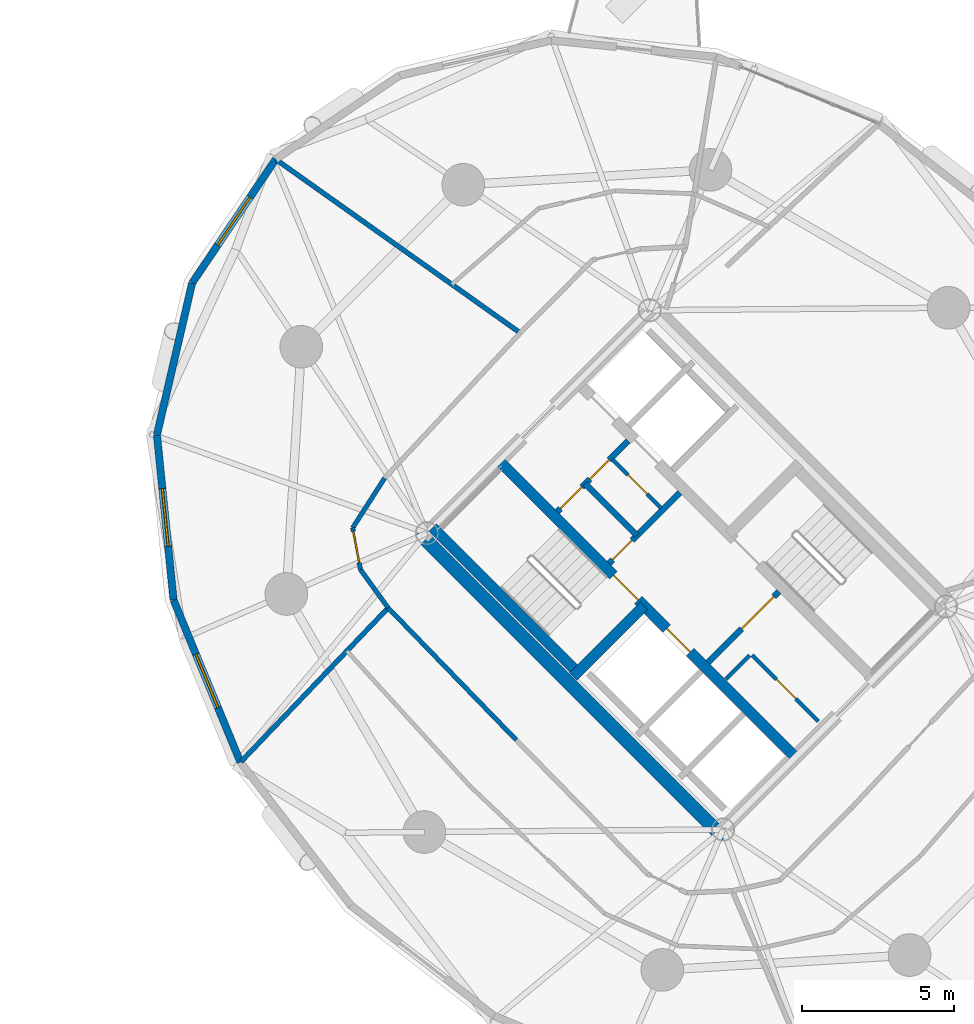
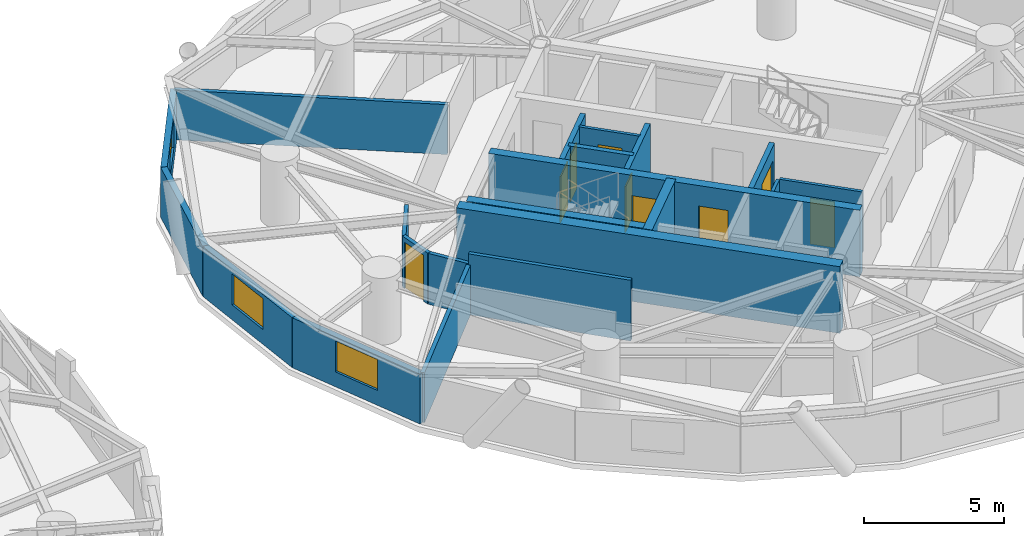
# One storey, part 12 of 18: 21 walls, 9 doors, 3 windows, 12 openings.
"""IFC4 building model written with IfcOpenShell, lengths in metres."""

from ifc_helpers import new_model, si_unit, direction, frame, frame_2d, origin, place, context, subcontext, project, spatial, rectangle, extrude, source, transform, mapped, material, layer, layer_set, type_object, element, fill, save


model = new_model("IFC4")

# Units and contexts
model_context = context("Model", 3, precision=1e-05, world=origin(), true_north=direction((0.0, 1.0)))
body_context = subcontext(model_context, "Body", "Model", "MODEL_VIEW")
ifc_project = project(units=[si_unit("LENGTHUNIT", "METRE"), si_unit("AREAUNIT", "SQUARE_METRE"), si_unit("VOLUMEUNIT", "CUBIC_METRE"), si_unit("PLANEANGLEUNIT", "RADIAN"), si_unit("MASSUNIT", "GRAM", prefix="KILO")], contexts=[model_context])

# Site, building, storey
site_placement = place(None, origin())
site = spatial("IfcSite", under=ifc_project, at=site_placement, CompositionType="ELEMENT")
building_placement = place(site_placement, origin())
building = spatial("IfcBuilding", under=site, at=building_placement, Name="Cununo Teusaquillo Station Towers", CompositionType="ELEMENT")
storey_placement = place(building_placement, frame((0.0, 0.0, 105.070068359375)))
storey = spatial("IfcBuildingStorey", under=building, at=storey_placement, Name="L33", CompositionType="ELEMENT", Elevation=105.070068359375)

# Wall, openings, doors
ifc_material_1 = material(Name="Concrete C50/60", Category="concrete")
ifc_layer_1 = layer(ifc_material_1, 0.35009765625)
ifc_layer_set_1 = layer_set([ifc_layer_1], Name="Concrete C50/60")
wall_type_1 = type_object("IfcWallType", Name="WL-CORE-350", PredefinedType="SHEAR", material=ifc_layer_set_1)
wall_1_placement = place(storey_placement, frame((61.077880859375, 18.355224609375, 0.0), z_axis=(0.0, 0.0, 1.0), x_axis=(-0.707106781187, 0.707106781187, 0.0)))
wall_1 = element("IfcWall", 1, at=wall_1_placement, inside=storey, type_object=wall_type_1, Name="L33 Tower B Core Shear Wall IW", PredefinedType="SHEAR", context=body_context, shape_type="SweptSolid", body=[
    extrude(rectangle(XDim=13.75, YDim=0.35009765625, at=frame_2d((6.875, 0.0))), origin(), (0.0, 0.0, 1.0), 2.909912109375),
])
shared_shape_1 = source(origin(), body_context, "Body", "SweptSolid", [
    extrude(rectangle(XDim=1.10009765625, YDim=2.014892578125, at=frame_2d((0.550048828125, 1.00732421875))), frame((0.0, 0.18505859375, 0.0), z_axis=(0.0, -1.0, 0.0), x_axis=(1.0, 0.0, 0.0)), (0.0, 0.0, 1.0), 0.3701171875),
])
opening_1_placement = place(wall_1_placement, frame((4.875, 0.0, 0.0)))
opening_1 = element("IfcOpeningElement", 2, at=opening_1_placement, cuts=wall_1, Name="Opening LD-01", PredefinedType="OPENING", context=body_context, shape_type="MappedRepresentation", body=[
    mapped(shared_shape_1, transform((0.0, 0.0, 0.0), x_axis=(1.0, 0.0, 0.0), y_axis=(0.0, 1.0, 0.0), z_axis=(0.0, 0.0, 1.0), scale=1.0)),
])
shared_shape_2 = source(origin(), body_context, "Body", "SweptSolid", [
    extrude(rectangle(XDim=1.14990234375, YDim=2.02001953125, at=frame_2d((0.574951171875, 1.010009765625))), frame((0.0, 0.18505859375, 0.0), z_axis=(0.0, -1.0, 0.0), x_axis=(1.0, 0.0, 0.0)), (0.0, 0.0, 1.0), 0.3701171875),
])
opening_2_placement = place(wall_1_placement, frame((7.294921875, 0.0, 0.0)))
opening_2 = element("IfcOpeningElement", 3, at=opening_2_placement, cuts=wall_1, Name="Opening D-ST1", PredefinedType="OPENING", context=body_context, shape_type="MappedRepresentation", body=[
    mapped(shared_shape_2, transform((0.0, 0.0, 0.0), x_axis=(1.0, 0.0, 0.0), y_axis=(0.0, 1.0, 0.0), z_axis=(0.0, 0.0, 1.0), scale=1.0)),
])
ifc_material_2 = material(Name="Galvanised fire-rated hollow steel door assembly", Category="steel")
door_type_1 = type_object("IfcDoorType", Name="DR-LIFT-1100", OperationType="SLIDING_TO_LEFT", PredefinedType="DOOR", material=ifc_material_2)
shared_shape_3 = source(origin(), body_context, "Body", "SweptSolid", [
    extrude(rectangle(XDim=1.10009765625, YDim=2.014892578125, at=frame_2d((0.550048828125, 1.00732421875))), frame((0.0, 0.02490234375, 0.0), z_axis=(0.0, -1.0, 0.0), x_axis=(1.0, 0.0, 0.0)), (0.0, 0.0, 1.0), 0.050048828125),
])
door_1_placement = place(opening_1_placement, origin())
door_1 = element("IfcDoor", 4, at=door_1_placement, inside=storey, type_object=door_type_1, Name="L33 Lift FL-T2 Sliding Landing Door", OperationType="SLIDING_TO_LEFT", OverallHeight=2.014892578125, OverallWidth=1.10009765625, PredefinedType="DOOR", context=body_context, shape_type="MappedRepresentation", body=[
    mapped(shared_shape_3, transform((0.0, 0.0, 0.0), x_axis=(1.0, 0.0, 0.0), y_axis=(0.0, 1.0, 0.0), z_axis=(0.0, 0.0, 1.0), scale=1.0)),
])
fill(opening_1, door_1)
ifc_material_3 = material(Name="Galvanised fire-rated hollow steel door assembly", Category="steel")
door_type_2 = type_object("IfcDoorType", Name="DR-STAIR-1150", OperationType="NOTDEFINED", PredefinedType="DOOR", material=ifc_material_3)
shared_shape_4 = source(origin(), body_context, "Body", "SweptSolid", [
    extrude(rectangle(XDim=1.14990234375, YDim=2.02001953125, at=frame_2d((0.574951171875, 1.010009765625))), frame((0.0, 0.02490234375, 0.0), z_axis=(0.0, -1.0, 0.0), x_axis=(1.0, 0.0, 0.0)), (0.0, 0.0, 1.0), 0.050048828125),
])
door_2_placement = place(opening_2_placement, origin())
door_2 = element("IfcDoor", 5, at=door_2_placement, inside=storey, type_object=door_type_2, Name="L33 Tower B Exit Stair 1 Fire Door", OperationType="SINGLE_SWING_LEFT", OverallHeight=2.02001953125, OverallWidth=1.14990234375, PredefinedType="DOOR", context=body_context, shape_type="MappedRepresentation", body=[
    mapped(shared_shape_4, transform((0.0, 0.0, 0.0), x_axis=(1.0, 0.0, 0.0), y_axis=(0.0, 1.0, 0.0), z_axis=(0.0, 0.0, 1.0), scale=1.0)),
])
fill(opening_2, door_2)

# Walls
wall_2_placement = place(storey_placement, frame((53.922119140625, 21.14111328125, 0.0), z_axis=(0.0, 0.0, 1.0), x_axis=(-0.707088616009, 0.707124945897, 0.0)))
element("IfcWall", 6, at=wall_2_placement, inside=storey, type_object=wall_type_1, Name="L33 Tower B Core Shear Wall ST1W", PredefinedType="SHEAR", context=body_context, shape_type="SweptSolid", body=[
    extrude(rectangle(XDim=6.72021484375, YDim=0.35009765625, at=frame_2d((3.360107421875, 0.0))), origin(), (0.0, 0.0, 1.0), 2.909912109375),
])
wall_3_placement = place(storey_placement, frame((53.7841796875, 21.00341796875, 0.0), z_axis=(0.0, 0.0, 1.0), x_axis=(0.707106781187, 0.707106781187, 0.0)))
element("IfcWall", 7, at=wall_3_placement, inside=storey, type_object=wall_type_1, Name="L33 Tower B Core Shear Wall ST1S", PredefinedType="SHEAR", context=body_context, shape_type="SweptSolid", body=[
    extrude(rectangle(XDim=3.284912109375, YDim=0.35009765625, at=frame_2d((1.642578125, 0.0))), origin(), (0.0, 0.0, 1.0), 2.909912109375),
])
ifc_material_4 = material(Name="Concrete C60/75", Category="concrete")
ifc_layer_2 = layer(ifc_material_4, 0.449951171875)
ifc_layer_set_2 = layer_set([ifc_layer_2], Name="Concrete C60/75")
wall_type_2 = type_object("IfcWallType", Name="WL-CORE-450", PredefinedType="SHEAR", material=ifc_layer_set_2)
wall_4_placement = place(storey_placement, frame((58.7373046875, 15.696533203125, 0.0), z_axis=(0.0, 0.0, 1.0), x_axis=(-0.707106781187, 0.707106781187, 0.0)))
element("IfcWall", 8, at=wall_4_placement, inside=storey, type_object=wall_type_2, Name="L33 Tower B Core Shear Wall W", PredefinedType="SHEAR", context=body_context, shape_type="SweptSolid", body=[
    extrude(rectangle(XDim=14.19970703125, YDim=0.449951171875, at=frame_2d((7.099853515625, 0.0))), origin(), (0.0, 0.0, 1.0), 2.909912109375),
])

# Wall, opening, window
ifc_material_5 = material(Name="Precast concrete C40/50", Category="concrete")
ifc_layer_3 = layer(ifc_material_5, 0.239990234375)
ifc_layer_set_3 = layer_set([ifc_layer_3], Name="Precast concrete C40/50")
wall_type_3 = type_object("IfcWallType", Name="WL-EXT-240", PredefinedType="SOLIDWALL", material=ifc_layer_set_3)
wall_5_placement = place(storey_placement, frame((41.27099609375, 33.919921875, 0.0), z_axis=(0.0, 0.0, 1.0), x_axis=(0.559572880421, 0.828781148131, 0.0)))
wall_5 = element("IfcWall", 9, at=wall_5_placement, inside=storey, type_object=wall_type_3, Name="L33 Tower B Exterior Facade Wall C05", PredefinedType="SOLIDWALL", context=body_context, shape_type="SweptSolid", body=[
    extrude(rectangle(XDim=4.904541015625, YDim=0.239990234375, at=frame_2d((2.4521484375, 0.0))), origin(), (0.0, 0.0, 1.0), 2.178955078125),
])
shared_shape_5 = source(origin(), body_context, "Body", "SweptSolid", [
    extrude(rectangle(XDim=1.89990234375, YDim=1.35009765625, at=frame_2d((0.949951171875, 0.675048828125))), frame((0.0, 0.1298828125, 0.0), z_axis=(0.0, -1.0, 0.0), x_axis=(1.0, 0.0, 0.0)), (0.0, 0.0, 1.0), 0.260009765625),
])
opening_3_placement = place(wall_5_placement, frame((1.501953125, 0.0, 0.64990234375)))
opening_3 = element("IfcOpeningElement", 10, at=opening_3_placement, cuts=wall_5, Name="Opening WN-02", PredefinedType="OPENING", context=body_context, shape_type="MappedRepresentation", body=[
    mapped(shared_shape_5, transform((0.0, 0.0, 0.0), x_axis=(1.0, 0.0, 0.0), y_axis=(0.0, 1.0, 0.0), z_axis=(0.0, 0.0, 1.0), scale=1.0)),
])
ifc_material_6 = material(Name="Operable acoustic tinted low-E double glazing", Category="glass")
window_type = type_object("IfcWindowType", Name="WIN-OPER-1900", PartitioningType="DOUBLE_PANEL_VERTICAL", PredefinedType="WINDOW", material=ifc_material_6)
shared_shape_6 = source(origin(), body_context, "Body", "SweptSolid", [
    extrude(rectangle(XDim=1.89990234375, YDim=1.35009765625, at=frame_2d((0.949951171875, 0.675048828125))), frame((0.0, 0.030029296875, 0.0), z_axis=(0.0, -1.0, 0.0), x_axis=(1.0, 0.0, 0.0)), (0.0, 0.0, 1.0), 0.06005859375),
])
window_1_placement = place(opening_3_placement, origin())
window_1 = element("IfcWindow", 11, at=window_1_placement, inside=storey, type_object=window_type, Name="L33 Tower B Facade Window C05", OverallHeight=1.35009765625, OverallWidth=1.89990234375, PartitioningType="DOUBLE_PANEL_VERTICAL", PredefinedType="WINDOW", context=body_context, shape_type="MappedRepresentation", body=[
    mapped(shared_shape_6, transform((0.0, 0.0, 0.0), x_axis=(1.0, 0.0, 0.0), y_axis=(0.0, 1.0, 0.0), z_axis=(0.0, 0.0, 1.0), scale=1.0)),
])
fill(opening_3, window_1)

# Wall
wall_6_placement = place(storey_placement, frame((40.114990234375, 28.933349609375, 0.0), z_axis=(0.0, 0.0, 1.0), x_axis=(0.225834725257, 0.974165631126, 0.0)))
element("IfcWall", 12, at=wall_6_placement, inside=storey, type_object=wall_type_3, Name="L33 Tower B Exterior Facade Wall C06", PredefinedType="SOLIDWALL", context=body_context, shape_type="SweptSolid", body=[
    extrude(rectangle(XDim=5.118896484375, YDim=0.239990234375, at=frame_2d((2.5595703125, 0.0))), origin(), (0.0, 0.0, 1.0), 2.178955078125),
])

# Wall, opening, window
wall_7_placement = place(storey_placement, frame((40.66064453125, 23.5126953125, 0.0), z_axis=(0.0, 0.0, 1.0), x_axis=(-0.10015591906, 0.994971754311, 0.0)))
wall_7 = element("IfcWall", 13, at=wall_7_placement, inside=storey, type_object=wall_type_3, Name="L33 Tower B Exterior Facade Wall C07", PredefinedType="SOLIDWALL", context=body_context, shape_type="SweptSolid", body=[
    extrude(rectangle(XDim=5.447998046875, YDim=0.239990234375, at=frame_2d((2.72412109375, 0.0))), origin(), (0.0, 0.0, 1.0), 2.178955078125),
])
opening_4_placement = place(wall_7_placement, frame((1.77392578125, 0.0, 0.64990234375)))
opening_4 = element("IfcOpeningElement", 14, at=opening_4_placement, cuts=wall_7, Name="Opening WN-02", PredefinedType="OPENING", context=body_context, shape_type="MappedRepresentation", body=[
    mapped(shared_shape_5, transform((0.0, 0.0, 0.0), x_axis=(1.0, 0.0, 0.0), y_axis=(0.0, 1.0, 0.0), z_axis=(0.0, 0.0, 1.0), scale=1.0)),
])
window_2_placement = place(opening_4_placement, origin())
window_2 = element("IfcWindow", 15, at=window_2_placement, inside=storey, type_object=window_type, Name="L33 Tower B Facade Window C07", OverallHeight=1.35009765625, OverallWidth=1.89990234375, PartitioningType="DOUBLE_PANEL_VERTICAL", PredefinedType="WINDOW", context=body_context, shape_type="MappedRepresentation", body=[
    mapped(shared_shape_6, transform((0.0, 0.0, 0.0), x_axis=(1.0, 0.0, 0.0), y_axis=(0.0, 1.0, 0.0), z_axis=(0.0, 0.0, 1.0), scale=1.0)),
])
fill(opening_4, window_2)

wall_8_placement = place(storey_placement, frame((42.854736328125, 18.188720703125, 0.0), z_axis=(0.0, 0.0, 1.0), x_axis=(-0.381027003055, 0.924563909604, 0.0)))
wall_8 = element("IfcWall", 16, at=wall_8_placement, inside=storey, type_object=wall_type_3, Name="L33 Tower B Exterior Facade Wall C08", PredefinedType="SOLIDWALL", context=body_context, shape_type="SweptSolid", body=[
    extrude(rectangle(XDim=5.75830078125, YDim=0.239990234375, at=frame_2d((2.879150390625, 0.0))), origin(), (0.0, 0.0, 1.0), 2.178955078125),
])
opening_5_placement = place(wall_8_placement, frame((1.928955078125, 0.0, 0.64990234375)))
opening_5 = element("IfcOpeningElement", 17, at=opening_5_placement, cuts=wall_8, Name="Opening WN-02", PredefinedType="OPENING", context=body_context, shape_type="MappedRepresentation", body=[
    mapped(shared_shape_5, transform((0.0, 0.0, 0.0), x_axis=(1.0, 0.0, 0.0), y_axis=(0.0, 1.0, 0.0), z_axis=(0.0, 0.0, 1.0), scale=1.0)),
])
window_3_placement = place(opening_5_placement, origin())
window_3 = element("IfcWindow", 18, at=window_3_placement, inside=storey, type_object=window_type, Name="L33 Tower B Facade Window C08", OverallHeight=1.35009765625, OverallWidth=1.89990234375, PartitioningType="DOUBLE_PANEL_VERTICAL", PredefinedType="WINDOW", context=body_context, shape_type="MappedRepresentation", body=[
    mapped(shared_shape_6, transform((0.0, 0.0, 0.0), x_axis=(1.0, 0.0, 0.0), y_axis=(0.0, 1.0, 0.0), z_axis=(0.0, 0.0, 1.0), scale=1.0)),
])
fill(opening_5, window_3)

# Wall, opening, door
ifc_material_7 = material(Name="Fire-rated gypsum plasterboard partition assembly", Category="gypsum")
ifc_layer_4 = layer(ifc_material_7, 0.125)
ifc_layer_set_4 = layer_set([ifc_layer_4], Name="Fire-rated gypsum plasterboard partition assembly")
wall_type_4 = type_object("IfcWallType", Name="WL-PART-125", PredefinedType="PARTITIONING", material=ifc_layer_set_4)
wall_9_placement = place(storey_placement, frame((61.834716796875, 19.529052734375, 0.0), z_axis=(0.0, 0.0, 1.0), x_axis=(-0.707146413884, 0.707067146267, 0.0)))
wall_9 = element("IfcWall", 19, at=wall_9_placement, inside=storey, type_object=wall_type_4, Name="L33 Tower B South-West Tall Store East Wall", PredefinedType="PARTITIONING", context=body_context, shape_type="SweptSolid", body=[
    extrude(rectangle(XDim=3.079833984375, YDim=0.125, at=frame_2d((1.5400390625, 0.0))), origin(), (0.0, 0.0, 1.0), 2.655029296875),
])
shared_shape_7 = source(origin(), body_context, "Body", "SweptSolid", [
    extrude(rectangle(XDim=0.89990234375, YDim=2.0048828125, at=frame_2d((0.449951171875, 1.00244140625))), frame((0.0, 0.072509765625, 0.0), z_axis=(0.0, -1.0, 0.0), x_axis=(1.0, 0.0, 0.0)), (0.0, 0.0, 1.0), 0.14501953125),
])
opening_6_placement = place(wall_9_placement, frame((1.050048828125, 0.0, 0.0)))
opening_6 = element("IfcOpeningElement", 20, at=opening_6_placement, cuts=wall_9, Name="Opening D-SR1", PredefinedType="OPENING", context=body_context, shape_type="MappedRepresentation", body=[
    mapped(shared_shape_7, transform((0.0, 0.0, 0.0), x_axis=(1.0, 0.0, 0.0), y_axis=(0.0, 1.0, 0.0), z_axis=(0.0, 0.0, 1.0), scale=1.0)),
])
ifc_material_8 = material(Name="Galvanised fire-rated hollow steel door assembly", Category="steel")
door_type_3 = type_object("IfcDoorType", Name="DR-STORE-900", OperationType="NOTDEFINED", PredefinedType="DOOR", material=ifc_material_8)
shared_shape_8 = source(origin(), body_context, "Body", "SweptSolid", [
    extrude(rectangle(XDim=0.89990234375, YDim=2.0048828125, at=frame_2d((0.449951171875, 1.00244140625))), frame((0.0, 0.02490234375, 0.0), z_axis=(0.0, -1.0, 0.0), x_axis=(1.0, 0.0, 0.0)), (0.0, 0.0, 1.0), 0.050048828125),
])
door_3_placement = place(opening_6_placement, origin())
door_3 = element("IfcDoor", 21, at=door_3_placement, inside=storey, type_object=door_type_3, Name="L33 Tower B South Cleaners Store Door", OperationType="SINGLE_SWING_LEFT", OverallHeight=2.0048828125, OverallWidth=0.89990234375, PredefinedType="DOOR", context=body_context, shape_type="MappedRepresentation", body=[
    mapped(shared_shape_8, transform((0.0, 0.0, 0.0), x_axis=(1.0, 0.0, 0.0), y_axis=(0.0, 1.0, 0.0), z_axis=(0.0, 0.0, 1.0), scale=1.0)),
])
fill(opening_6, door_3)

# Wall
wall_10_placement = place(storey_placement, frame((58.7939453125, 20.9150390625, 0.0), z_axis=(0.0, 0.0, 1.0), x_axis=(0.707106781187, 0.707106781187, 0.0)))
element("IfcWall", 22, at=wall_10_placement, inside=storey, type_object=wall_type_4, Name="L33 Tower B South-West Tall Store North Wall", PredefinedType="PARTITIONING", context=body_context, shape_type="SweptSolid", body=[
    extrude(rectangle(XDim=1.10009765625, YDim=0.125, at=frame_2d((0.550048828125, 0.0))), origin(), (0.0, 0.0, 1.0), 2.655029296875),
])

# Wall, opening, door
wall_11_placement = place(storey_placement, frame((56.672607421875, 26.529296875, 0.0), z_axis=(0.0, 0.0, 1.0), x_axis=(-0.707052764397, 0.70716079385, 0.0)))
wall_11 = element("IfcWall", 23, at=wall_11_placement, inside=storey, type_object=wall_type_4, Name="L33 Tower B Core Vertical Split Wall", PredefinedType="PARTITIONING", context=body_context, shape_type="SweptSolid", body=[
    extrude(rectangle(XDim=2.260009765625, YDim=0.125, at=frame_2d((1.1298828125, 0.0))), origin(), (0.0, 0.0, 1.0), 2.655029296875),
])
opening_7_placement = place(wall_11_placement, frame((0.64990234375, 0.0, 0.0)))
opening_7 = element("IfcOpeningElement", 24, at=opening_7_placement, cuts=wall_11, Name="Opening D-SR1", PredefinedType="OPENING", context=body_context, shape_type="MappedRepresentation", body=[
    mapped(shared_shape_7, transform((0.0, 0.0, 0.0), x_axis=(1.0, 0.0, 0.0), y_axis=(0.0, 1.0, 0.0), z_axis=(0.0, 0.0, 1.0), scale=1.0)),
])
door_4_placement = place(opening_7_placement, origin())
door_4 = element("IfcDoor", 25, at=door_4_placement, inside=storey, type_object=door_type_3, Name="L33 Tower B Core Electrical Room Door", OperationType="SINGLE_SWING_LEFT", OverallHeight=2.0048828125, OverallWidth=0.89990234375, PredefinedType="DOOR", context=body_context, shape_type="MappedRepresentation", body=[
    mapped(shared_shape_8, transform((0.0, 0.0, 0.0), x_axis=(1.0, 0.0, 0.0), y_axis=(0.0, 1.0, 0.0), z_axis=(0.0, 0.0, 1.0), scale=1.0)),
])
fill(opening_7, door_4)

# Wall
ifc_material_9 = material(Name="Fire-rated gypsum plasterboard partition assembly", Category="gypsum")
ifc_layer_5 = layer(ifc_material_9, 0.14990234375)
ifc_layer_set_5 = layer_set([ifc_layer_5], Name="Fire-rated gypsum plasterboard partition assembly")
wall_type_5 = type_object("IfcWallType", Name="WL-PART-150", PredefinedType="PARTITIONING", material=ifc_layer_set_5)
wall_12_placement = place(storey_placement, frame((47.58837890625, 27.51025390625, 0.0), z_axis=(0.0, 0.0, 1.0), x_axis=(-0.540202619347, -0.841534984449, 0.0)))
element("IfcWall", 26, at=wall_12_placement, inside=storey, type_object=wall_type_5, Name="L33 Tower B Corridor Ring Wall C06", PredefinedType="PARTITIONING", context=body_context, shape_type="SweptSolid", body=[
    extrude(rectangle(XDim=1.934814453125, YDim=0.14990234375, at=frame_2d((0.96728515625, 0.0))), origin(), (0.0, 0.0, 1.0), 2.224853515625),
])

# Wall, opening, door
wall_13_placement = place(storey_placement, frame((46.543212890625, 25.882080078125, 0.0), z_axis=(0.0, 0.0, 1.0), x_axis=(0.181153502579, -0.983454832976, 0.0)))
wall_13 = element("IfcWall", 27, at=wall_13_placement, inside=storey, type_object=wall_type_5, Name="L33 Tower B Corridor Ring Wall C07", PredefinedType="PARTITIONING", context=body_context, shape_type="SweptSolid", body=[
    extrude(rectangle(XDim=1.39208984375, YDim=0.14990234375, at=frame_2d((0.696044921875, 0.0))), origin(), (0.0, 0.0, 1.0), 2.224853515625),
])
shared_shape_9 = source(origin(), body_context, "Body", "SweptSolid", [
    extrude(rectangle(XDim=1.050048828125, YDim=2.014892578125, at=frame_2d((0.52490234375, 1.00732421875))), frame((0.0, 0.0849609375, 0.0), z_axis=(0.0, -1.0, 0.0), x_axis=(1.0, 0.0, 0.0)), (0.0, 0.0, 1.0), 0.169921875),
])
opening_8_placement = place(wall_13_placement, frame((0.1201171875, 0.0, 0.0)))
opening_8 = element("IfcOpeningElement", 28, at=opening_8_placement, cuts=wall_13, Name="Opening D-SU1", PredefinedType="OPENING", context=body_context, shape_type="MappedRepresentation", body=[
    mapped(shared_shape_9, transform((0.0, 0.0, 0.0), x_axis=(1.0, 0.0, 0.0), y_axis=(0.0, 1.0, 0.0), z_axis=(0.0, 0.0, 1.0), scale=1.0)),
])
ifc_material_10 = material(Name="Acoustic solid-core hardwood leaf assembly", Category="wood")
door_type_4 = type_object("IfcDoorType", Name="DR-SUITE-1050", OperationType="NOTDEFINED", PredefinedType="DOOR", material=ifc_material_10)
shared_shape_10 = source(origin(), body_context, "Body", "SweptSolid", [
    extrude(rectangle(XDim=1.050048828125, YDim=2.014892578125, at=frame_2d((0.52490234375, 1.00732421875))), frame((0.0, 0.02490234375, 0.0), z_axis=(0.0, -1.0, 0.0), x_axis=(1.0, 0.0, 0.0)), (0.0, 0.0, 1.0), 0.050048828125),
])
door_5_placement = place(opening_8_placement, origin())
door_5 = element("IfcDoor", 29, at=door_5_placement, inside=storey, type_object=door_type_4, Name="L33 Tower B Bilateral Treaty Conference Room Entrance Door", OperationType="SINGLE_SWING_RIGHT", OverallHeight=2.014892578125, OverallWidth=1.050048828125, PredefinedType="DOOR", context=body_context, shape_type="MappedRepresentation", body=[
    mapped(shared_shape_10, transform((0.0, 0.0, 0.0), x_axis=(1.0, 0.0, 0.0), y_axis=(0.0, 1.0, 0.0), z_axis=(0.0, 0.0, 1.0), scale=1.0)),
])
fill(opening_8, door_5)

# Walls
wall_14_placement = place(storey_placement, frame((46.79541015625, 24.512939453125, 0.0), z_axis=(0.0, 0.0, 1.0), x_axis=(0.585628197524, -0.810579801294, 0.0)))
element("IfcWall", 30, at=wall_14_placement, inside=storey, type_object=wall_type_5, Name="L33 Tower B Corridor Ring Wall C08", PredefinedType="PARTITIONING", context=body_context, shape_type="SweptSolid", body=[
    extrude(rectangle(XDim=1.55419921875, YDim=0.14990234375, at=frame_2d((0.777099609375, 0.0))), origin(), (0.0, 0.0, 1.0), 2.224853515625),
])
wall_15_placement = place(storey_placement, frame((47.70556640625, 23.253173828125, 0.0), z_axis=(0.0, 0.0, 1.0), x_axis=(0.696179266346, -0.717867974707, 0.0)))
element("IfcWall", 31, at=wall_15_placement, inside=storey, type_object=wall_type_5, Name="L33 Tower B Corridor Ring Wall C09", PredefinedType="PARTITIONING", context=body_context, shape_type="SweptSolid", body=[
    extrude(rectangle(XDim=6.044677734375, YDim=0.14990234375, at=frame_2d((3.0224609375, 0.0))), origin(), (0.0, 0.0, 1.0), 2.655029296875),
])
ifc_material_11 = material(Name="Fire-rated gypsum plasterboard partition assembly", Category="gypsum")
ifc_layer_6 = layer(ifc_material_11, 0.159912109375)
ifc_layer_set_6 = layer_set([ifc_layer_6], Name="Fire-rated gypsum plasterboard partition assembly")
wall_type_6 = type_object("IfcWallType", Name="WL-PART-160", PredefinedType="PARTITIONING", material=ifc_layer_set_6)
wall_16_placement = place(storey_placement, frame((52.04345703125, 32.27978515625, 0.0), z_axis=(0.0, 0.0, 1.0), x_axis=(-0.81534487613, 0.578975589268, 0.0)))
element("IfcWall", 32, at=wall_16_placement, inside=storey, type_object=wall_type_6, Name="L33 Tower B Radial Suite Partition R03", PredefinedType="PARTITIONING", context=body_context, shape_type="SweptSolid", body=[
    extrude(rectangle(XDim=9.828857421875, YDim=0.159912109375, at=frame_2d((4.91455078125, 0.0))), origin(), (0.0, 0.0, 1.0), 2.178955078125),
])
wall_17_placement = place(storey_placement, frame((47.70556640625, 23.253173828125, 0.0), z_axis=(0.0, 0.0, 1.0), x_axis=(-0.691027649154, -0.722828325472, 0.0)))
element("IfcWall", 33, at=wall_17_placement, inside=storey, type_object=wall_type_6, Name="L33 Tower B Radial Suite Partition R04", PredefinedType="PARTITIONING", context=body_context, shape_type="SweptSolid", body=[
    extrude(rectangle(XDim=6.993896484375, YDim=0.159912109375, at=frame_2d((3.4970703125, 0.0))), origin(), (0.0, 0.0, 1.0), 2.178955078125),
])

# Wall, opening, door
ifc_material_12 = material(Name="Fire-rated gypsum plasterboard partition assembly", Category="gypsum")
ifc_layer_7 = layer(ifc_material_12, 0.199951171875)
ifc_layer_set_7 = layer_set([ifc_layer_7], Name="Fire-rated gypsum plasterboard partition assembly")
wall_type_7 = type_object("IfcWallType", Name="WL-PART-200", PredefinedType="PARTITIONING", material=ifc_layer_set_7)
wall_18_placement = place(storey_placement, frame((58.214111328125, 21.466552734375, 0.0), z_axis=(0.0, 0.0, 1.0), x_axis=(0.707106781187, 0.707106781187, 0.0)))
wall_18 = element("IfcWall", 34, at=wall_18_placement, inside=storey, type_object=wall_type_7, Name="L33 Tower B Firefighting Lift Lobby South Fire Wall", PredefinedType="PARTITIONING", context=body_context, shape_type="SweptSolid", body=[
    extrude(rectangle(XDim=3.280029296875, YDim=0.199951171875, at=frame_2d((1.64013671875, 0.0))), origin(), (0.0, 0.0, 1.0), 2.655029296875),
])
shared_shape_11 = source(origin(), body_context, "Body", "SweptSolid", [
    extrude(rectangle(XDim=1.5, YDim=2.02001953125, at=frame_2d((0.75, 1.010009765625))), frame((0.0, 0.10986328125, 0.0), z_axis=(0.0, -1.0, 0.0), x_axis=(1.0, 0.0, 0.0)), (0.0, 0.0, 1.0), 0.219970703125),
])
opening_9_placement = place(wall_18_placement, frame((1.550048828125, 0.0, 0.0)))
opening_9 = element("IfcOpeningElement", 35, at=opening_9_placement, cuts=wall_18, Name="Opening D-LB1", PredefinedType="OPENING", context=body_context, shape_type="MappedRepresentation", body=[
    mapped(shared_shape_11, transform((0.0, 0.0, 0.0), x_axis=(1.0, 0.0, 0.0), y_axis=(0.0, 1.0, 0.0), z_axis=(0.0, 0.0, 1.0), scale=1.0)),
])
ifc_material_13 = material(Name="Galvanised fire-rated hollow steel door assembly", Category="steel")
door_type_5 = type_object("IfcDoorType", Name="DR-LOBBY-1500", OperationType="DOUBLE_DOOR_SINGLE_SWING", PredefinedType="DOOR", material=ifc_material_13)
shared_shape_12 = source(origin(), body_context, "Body", "SweptSolid", [
    extrude(rectangle(XDim=1.5, YDim=2.02001953125, at=frame_2d((0.75, 1.010009765625))), frame((0.0, 0.02490234375, 0.0), z_axis=(0.0, -1.0, 0.0), x_axis=(1.0, 0.0, 0.0)), (0.0, 0.0, 1.0), 0.050048828125),
])
door_6_placement = place(opening_9_placement, origin())
door_6 = element("IfcDoor", 36, at=door_6_placement, inside=storey, type_object=door_type_5, Name="L33 Tower B Firefighting Lift Lobby South Fire Door", OperationType="DOUBLE_DOOR_SINGLE_SWING", OverallHeight=2.02001953125, OverallWidth=1.5, PredefinedType="DOOR", context=body_context, shape_type="MappedRepresentation", body=[
    mapped(shared_shape_12, transform((0.0, 0.0, 0.0), x_axis=(1.0, 0.0, 0.0), y_axis=(0.0, 1.0, 0.0), z_axis=(0.0, 0.0, 1.0), scale=1.0)),
])
fill(opening_9, door_6)

wall_19_placement = place(storey_placement, frame((54.96142578125, 24.71923828125, 0.0), z_axis=(0.0, 0.0, 1.0), x_axis=(0.707106781187, 0.707106781187, 0.0)))
wall_19 = element("IfcWall", 37, at=wall_19_placement, inside=storey, type_object=wall_type_7, Name="L33 Tower B Firefighting Lift Lobby North Fire Wall", PredefinedType="PARTITIONING", context=body_context, shape_type="SweptSolid", body=[
    extrude(rectangle(XDim=3.280029296875, YDim=0.199951171875, at=frame_2d((1.64013671875, 0.0))), origin(), (0.0, 0.0, 1.0), 2.655029296875),
])
shared_shape_13 = source(origin(), body_context, "Body", "SweptSolid", [
    extrude(rectangle(XDim=0.89990234375, YDim=2.0048828125, at=frame_2d((0.449951171875, 1.00244140625))), frame((0.0, 0.10986328125, 0.0), z_axis=(0.0, -1.0, 0.0), x_axis=(1.0, 0.0, 0.0)), (0.0, 0.0, 1.0), 0.219970703125),
])
opening_10_placement = place(wall_19_placement, frame((0.159912109375, 0.0, 0.0)))
opening_10 = element("IfcOpeningElement", 38, at=opening_10_placement, cuts=wall_19, Name="Opening D-SR1", PredefinedType="OPENING", context=body_context, shape_type="MappedRepresentation", body=[
    mapped(shared_shape_13, transform((0.0, 0.0, 0.0), x_axis=(1.0, 0.0, 0.0), y_axis=(0.0, 1.0, 0.0), z_axis=(0.0, 0.0, 1.0), scale=1.0)),
])
door_7_placement = place(opening_10_placement, origin())
door_7 = element("IfcDoor", 39, at=door_7_placement, inside=storey, type_object=door_type_3, Name="L33 Tower B Stair 1 Protected Vestibule South Door", OperationType="SINGLE_SWING_LEFT", OverallHeight=2.0048828125, OverallWidth=0.89990234375, PredefinedType="DOOR", context=body_context, shape_type="MappedRepresentation", body=[
    mapped(shared_shape_8, transform((0.0, 0.0, 0.0), x_axis=(1.0, 0.0, 0.0), y_axis=(0.0, 1.0, 0.0), z_axis=(0.0, 0.0, 1.0), scale=1.0)),
])
fill(opening_10, door_7)

# Wall
wall_20_placement = place(storey_placement, frame((55.873779296875, 25.63134765625, 0.0), z_axis=(0.0, 0.0, 1.0), x_axis=(-0.707157639372, 0.707055919343, 0.0)))
element("IfcWall", 40, at=wall_20_placement, inside=storey, type_object=wall_type_7, Name="L33 Tower B Stair 1 Vestibule Partition Wall", PredefinedType="PARTITIONING", context=body_context, shape_type="SweptSolid", body=[
    extrude(rectangle(XDim=2.400146484375, YDim=0.199951171875, at=frame_2d((1.2001953125, 0.0))), origin(), (0.0, 0.0, 1.0), 2.655029296875),
])

# Wall, openings, doors
wall_21_placement = place(storey_placement, frame((53.264404296875, 26.416259765625, 0.0), z_axis=(0.0, 0.0, 1.0), x_axis=(0.707106781187, 0.707106781187, 0.0)))
wall_21 = element("IfcWall", 41, at=wall_21_placement, inside=storey, type_object=wall_type_7, Name="L33 Tower B North Lift Lobby South Fire Wall", PredefinedType="PARTITIONING", context=body_context, shape_type="SweptSolid", body=[
    extrude(rectangle(XDim=3.280029296875, YDim=0.199951171875, at=frame_2d((1.64013671875, 0.0))), origin(), (0.0, 0.0, 1.0), 2.655029296875),
])
shared_shape_14 = source(origin(), body_context, "Body", "SweptSolid", [
    extrude(rectangle(XDim=1.0, YDim=2.014892578125, at=frame_2d((0.5, 1.00732421875))), frame((0.0, 0.10986328125, 0.0), z_axis=(0.0, -1.0, 0.0), x_axis=(1.0, 0.0, 0.0)), (0.0, 0.0, 1.0), 0.219970703125),
])
opening_11_placement = place(wall_21_placement, frame((0.139892578125, 0.0, 0.0)))
opening_11 = element("IfcOpeningElement", 42, at=opening_11_placement, cuts=wall_21, Name="Opening D-AC1", PredefinedType="OPENING", context=body_context, shape_type="MappedRepresentation", body=[
    mapped(shared_shape_14, transform((0.0, 0.0, 0.0), x_axis=(1.0, 0.0, 0.0), y_axis=(0.0, 1.0, 0.0), z_axis=(0.0, 0.0, 1.0), scale=1.0)),
])
opening_12_placement = place(wall_21_placement, frame((1.5, 0.0, 0.0)))
opening_12 = element("IfcOpeningElement", 43, at=opening_12_placement, cuts=wall_21, Name="Opening D-SR1", PredefinedType="OPENING", context=body_context, shape_type="MappedRepresentation", body=[
    mapped(shared_shape_13, transform((0.0, 0.0, 0.0), x_axis=(1.0, 0.0, 0.0), y_axis=(0.0, 1.0, 0.0), z_axis=(0.0, 0.0, 1.0), scale=1.0)),
])
door_8_placement = place(opening_12_placement, origin())
door_8 = element("IfcDoor", 44, at=door_8_placement, inside=storey, type_object=door_type_3, Name="L33 Tower B Core Housekeeping Store Door", OperationType="SINGLE_SWING_RIGHT", OverallHeight=2.0048828125, OverallWidth=0.89990234375, PredefinedType="DOOR", context=body_context, shape_type="MappedRepresentation", body=[
    mapped(shared_shape_8, transform((0.0, 0.0, 0.0), x_axis=(1.0, 0.0, 0.0), y_axis=(0.0, 1.0, 0.0), z_axis=(0.0, 0.0, 1.0), scale=1.0)),
])
fill(opening_12, door_8)
ifc_material_14 = material(Name="Acoustic solid-core hardwood leaf assembly", Category="wood")
door_type_6 = type_object("IfcDoorType", Name="DR-ACC-1000", OperationType="NOTDEFINED", PredefinedType="DOOR", material=ifc_material_14)
shared_shape_15 = source(origin(), body_context, "Body", "SweptSolid", [
    extrude(rectangle(XDim=1.0, YDim=2.014892578125, at=frame_2d((0.5, 1.00732421875))), frame((0.0, 0.02490234375, 0.0), z_axis=(0.0, -1.0, 0.0), x_axis=(1.0, 0.0, 0.0)), (0.0, 0.0, 1.0), 0.050048828125),
])
door_9_placement = place(opening_11_placement, origin())
door_9 = element("IfcDoor", 45, at=door_9_placement, inside=storey, type_object=door_type_6, Name="L33 Tower B North Lift Lobby to Stair 1 Vestibule Door", OperationType="SINGLE_SWING_RIGHT", OverallHeight=2.014892578125, OverallWidth=1.0, PredefinedType="DOOR", context=body_context, shape_type="MappedRepresentation", body=[
    mapped(shared_shape_15, transform((0.0, 0.0, 0.0), x_axis=(1.0, 0.0, 0.0), y_axis=(0.0, 1.0, 0.0), z_axis=(0.0, 0.0, 1.0), scale=1.0)),
])
fill(opening_11, door_9)

save(model, "model.ifc")
